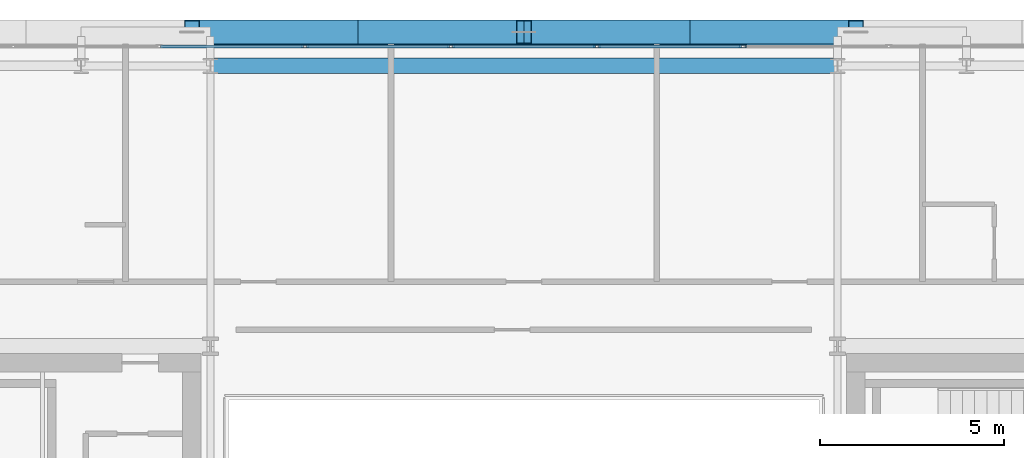
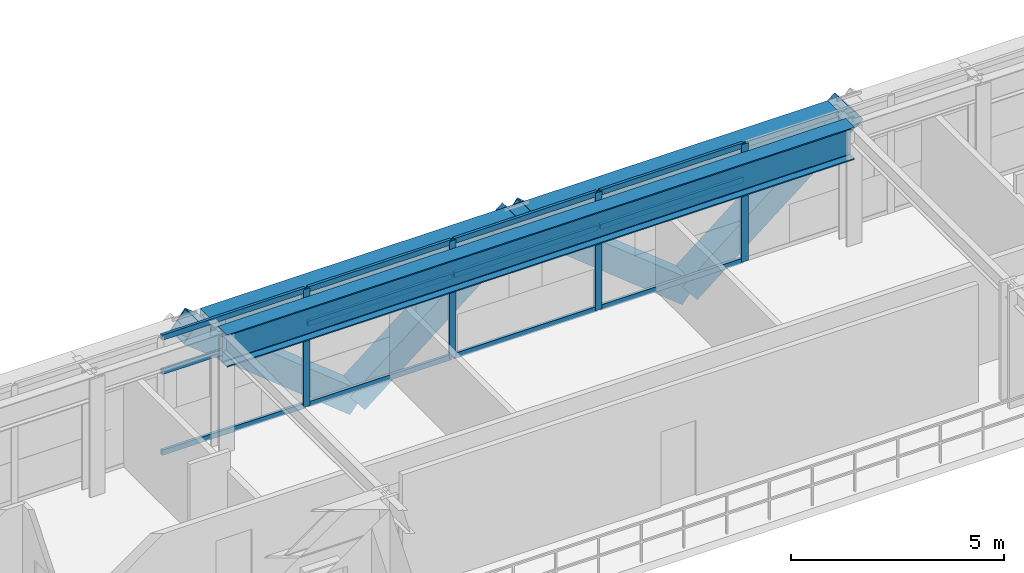
# One storey, part 17 of 31: 20 members, 2 beams, 1 element without a shape of its own.
"""IFC4 building model written with IfcOpenShell, lengths in metres."""

from ifc_helpers import new_model, si_unit, direction, frame, origin, origin_2d, place, context, subcontext, project, spatial, hollow_rectangle, i_section, extrude, source, transform, mapped, material, layer, layer_set, material_profile, profile_set, type_object, element, aggregate, save


model = new_model("IFC4")

# Units and contexts
model_context = context("Model", 3, precision=1e-05, world=origin(), true_north=direction((0.0, 1.0)))
body_context = subcontext(model_context, "Body", "Model", "MODEL_VIEW")
ifc_project = project(units=[si_unit("LENGTHUNIT", "METRE"), si_unit("AREAUNIT", "SQUARE_METRE"), si_unit("VOLUMEUNIT", "CUBIC_METRE"), si_unit("PLANEANGLEUNIT", "RADIAN"), si_unit("MASSUNIT", "GRAM", prefix="KILO")], contexts=[model_context])

# Site, building, storey
site_placement = place(None, origin())
site = spatial("IfcSite", under=ifc_project, at=site_placement, CompositionType="ELEMENT")
building_placement = place(site_placement, origin())
building = spatial("IfcBuilding", under=site, at=building_placement, Name="Ocotamira Hotel", CompositionType="ELEMENT")
storey_placement = place(building_placement, frame((0.0, 0.0, 199.199951171875)))
storey = spatial("IfcBuildingStorey", under=building, at=storey_placement, Name="L50", CompositionType="ELEMENT", Elevation=199.199951171875)

# Beams
ifc_material_1 = material(Name="Steel ASTM A992 Grade 50", Category="steel")
ifc_material_profile_1 = material_profile(ifc_material_1, i_section(OverallWidth=0.41796875, OverallDepth=0.927001953125, WebThickness=0.019287109375, FlangeThickness=0.031982421875, FilletRadius=0.02392578125, at=origin_2d()), Name="W36X231")
ifc_profile_set_1 = profile_set([ifc_material_profile_1], Name="Steel ASTM A992 Grade 50")
beam_type_1 = type_object("IfcBeamType", Name="BM-GIRD-W36X231", PredefinedType="BEAM", material=ifc_profile_set_1)
shared_shape_1 = source(origin(), body_context, "Body", "SweptSolid", [
    extrude(i_section(OverallWidth=0.41796875, OverallDepth=0.927001953125, WebThickness=0.019287109375, FlangeThickness=0.031982421875, FilletRadius=0.02392578125, at=origin_2d()), origin(), (0.0, 0.0, 1.0), 17.0),
])
beam_1_placement = place(storey_placement, frame((23.5, 45.050048828125, 2.906494140625), z_axis=(1.0, 0.0, 0.0), x_axis=(0.0, 1.0, 0.0)))
element("IfcBeam", 1, at=beam_1_placement, inside=storey, type_object=beam_type_1, Name="L50 Girder Y45.05 X23.5-40.5", PredefinedType="BEAM", context=body_context, shape_type="MappedRepresentation", body=[
    mapped(shared_shape_1, transform((0.0, 0.0, 0.0), scale=1.0)),
])
ifc_material_2 = material(Name="Steel ASTM A500 Grade C", Category="steel")
ifc_material_profile_2 = material_profile(ifc_material_2, hollow_rectangle(XDim=0.5, YDim=0.5, WallThickness=0.02001953125, at=origin_2d()), Name="HSS500X500X20")
ifc_profile_set_2 = profile_set([ifc_material_profile_2], Name="Steel ASTM A500 Grade C")
beam_type_2 = type_object("IfcBeamType", Name="BM-SPAN-HSS500", PredefinedType="USERDEFINED", material=ifc_profile_set_2)
shared_shape_2 = source(origin(), body_context, "Body", "SweptSolid", [
    extrude(hollow_rectangle(XDim=0.5, YDim=0.5, WallThickness=0.02001953125, at=origin_2d()), origin(), (0.0, 0.0, 1.0), 17.0),
])
beam_2_placement = place(storey_placement, frame((23.5, 45.85009765625, 3.1201171875), z_axis=(1.0, 0.0, 0.0), x_axis=(0.0, 1.0, 0.0)))
element("IfcBeam", 2, at=beam_2_placement, inside=storey, type_object=beam_type_2, Name="L50 Edge Spandrel N X23.5-40.5", ObjectType="SPANDREL", PredefinedType="USERDEFINED", context=body_context, shape_type="MappedRepresentation", body=[
    mapped(shared_shape_2, transform((0.0, 0.0, 0.0), scale=1.0)),
])

# Members
ifc_material_3 = material(Name="Pale-metal coated steel ASTM A913 Grade 65", Category="steel")
ifc_material_profile_3 = material_profile(ifc_material_3, hollow_rectangle(XDim=0.64990234375, YDim=0.64990234375, WallThickness=0.02197265625, at=origin_2d()), Name="BOX650X650X22")
ifc_profile_set_3 = profile_set([ifc_material_profile_3], Name="Pale-metal coated steel ASTM A913 Grade 65")
member_type_1 = type_object("IfcMemberType", Name="MEM-EXO-BOX650", PredefinedType="BRACE", material=ifc_profile_set_3)
shared_shape_3 = source(origin(), body_context, "Body", "SweptSolid", [
    extrude(hollow_rectangle(XDim=0.64990234375, YDim=0.64990234375, WallThickness=0.02197265625, at=origin_2d()), origin(), (0.0, 0.0, 1.0), 5.762939453125),
])
for number, where, z_axis, x_axis, name in (
    (3, (27.5, 45.969970703125, -0.47998046875), (-0.780860543151, 0.0, 0.624705380279), (0.0, -1.0, 0.0), "L50 Exoskeleton Diagrid N1.1"),
    (4, (27.5, 45.969970703125, -0.47998046875), (0.780860543151, 0.0, 0.624705380279), (0.0, 1.0, 0.0), "L50 Exoskeleton Diagrid N1.2"),
    (5, (36.5, 45.969970703125, -0.47998046875), (-0.780860543151, 0.0, 0.624705380279), (0.0, -1.0, 0.0), "L50 Exoskeleton Diagrid N2.1"),
    (6, (36.5, 45.969970703125, -0.47998046875), (0.780860543151, 0.0, 0.624705380279), (0.0, 1.0, 0.0), "L50 Exoskeleton Diagrid N2.2"),
):
    element("IfcMember", number, at=place(storey_placement, frame(where, z_axis=z_axis, x_axis=x_axis)), inside=storey, type_object=member_type_1, Name=name, PredefinedType="BRACE", context=body_context, shape_type="MappedRepresentation", body=[
        mapped(shared_shape_3, transform((0.0, 0.0, 0.0), scale=1.0)),
    ])

# Curtain wall, members
ifc_material_4 = material(Name="Anodised pale-metal aluminium and solar glass", Category="aluminium")
ifc_layer = layer(ifc_material_4, 0.199951171875)
ifc_layer_set = layer_set([ifc_layer], Name="Anodised pale-metal aluminium and solar glass")
curtain_wall_type = type_object("IfcCurtainWallType", Name="CW-SYS4-Z3", PredefinedType="NOTDEFINED", material=ifc_layer_set)
curtain_wall_placement = place(storey_placement, origin())
curtain_wall = element("IfcCurtainWall", 7, at=curtain_wall_placement, inside=storey, type_object=curtain_wall_type, Name="L50 Curtain Wall CW-4 CW-L50-N", PredefinedType="NOTDEFINED")
ifc_material_5 = material(Name="Anodised pale-metal aluminium 6063-T6", Category="aluminium")
ifc_material_profile_4 = material_profile(ifc_material_5, hollow_rectangle(XDim=0.074951171875, YDim=0.14990234375, WallThickness=0.006103515625, at=origin_2d()), Name="HSS150X75X6")
ifc_profile_set_4 = profile_set([ifc_material_profile_4], Name="Anodised pale-metal aluminium 6063-T6")
member_type_2 = type_object("IfcMemberType", Name="CWT-150X75", PredefinedType="USERDEFINED", material=ifc_profile_set_4)
shared_shape_4 = source(origin(), body_context, "Body", "SweptSolid", [
    extrude(hollow_rectangle(XDim=0.074951171875, YDim=0.14990234375, WallThickness=0.006103515625, at=origin_2d()), origin(), (0.0, 0.0, 1.0), 3.87548828125),
])
member_1_placement = place(storey_placement, frame((22.151123046875, 45.580078125, 0.03759765625), z_axis=(1.0, 0.0, 0.0), x_axis=(0.0, 1.0, 0.0)))
member_1 = element("IfcMember", 8, at=member_1_placement, type_object=member_type_2, Name="CW-4 transom 3.1", ObjectType="TRANSOM", PredefinedType="USERDEFINED", context=body_context, shape_type="MappedRepresentation", body=[
    mapped(shared_shape_4, transform((0.0, 0.0, 0.0), scale=1.0)),
])
member_2_placement = place(storey_placement, frame((22.151123046875, 45.580078125, 2.35009765625), z_axis=(1.0, 0.0, 0.0), x_axis=(0.0, 1.0, 0.0)))
member_2 = element("IfcMember", 9, at=member_2_placement, type_object=member_type_2, Name="CW-4 transom 3.2", ObjectType="TRANSOM", PredefinedType="USERDEFINED", context=body_context, shape_type="MappedRepresentation", body=[
    mapped(shared_shape_4, transform((0.0, 0.0, 0.0), scale=1.0)),
])
member_3_placement = place(storey_placement, frame((22.151123046875, 45.580078125, 3.33251953125), z_axis=(1.0, 0.0, 0.0), x_axis=(0.0, 1.0, 0.0)))
member_3 = element("IfcMember", 10, at=member_3_placement, type_object=member_type_2, Name="CW-4 transom 3.3", ObjectType="TRANSOM", PredefinedType="USERDEFINED", context=body_context, shape_type="MappedRepresentation", body=[
    mapped(shared_shape_4, transform((0.0, 0.0, 0.0), scale=1.0)),
])
member_4_placement = place(storey_placement, frame((26.106689453125, 45.580078125, 0.03759765625), z_axis=(1.0, 0.0, 0.0), x_axis=(0.0, 1.0, 0.0)))
member_4 = element("IfcMember", 11, at=member_4_placement, type_object=member_type_2, Name="CW-4 transom 4.1", ObjectType="TRANSOM", PredefinedType="USERDEFINED", context=body_context, shape_type="MappedRepresentation", body=[
    mapped(shared_shape_4, transform((0.0, 0.0, 0.0), scale=1.0)),
])
member_5_placement = place(storey_placement, frame((26.106689453125, 45.580078125, 2.35009765625), z_axis=(1.0, 0.0, 0.0), x_axis=(0.0, 1.0, 0.0)))
member_5 = element("IfcMember", 12, at=member_5_placement, type_object=member_type_2, Name="CW-4 transom 4.2", ObjectType="TRANSOM", PredefinedType="USERDEFINED", context=body_context, shape_type="MappedRepresentation", body=[
    mapped(shared_shape_4, transform((0.0, 0.0, 0.0), scale=1.0)),
])
member_6_placement = place(storey_placement, frame((26.106689453125, 45.580078125, 3.33251953125), z_axis=(1.0, 0.0, 0.0), x_axis=(0.0, 1.0, 0.0)))
member_6 = element("IfcMember", 13, at=member_6_placement, type_object=member_type_2, Name="CW-4 transom 4.3", ObjectType="TRANSOM", PredefinedType="USERDEFINED", context=body_context, shape_type="MappedRepresentation", body=[
    mapped(shared_shape_4, transform((0.0, 0.0, 0.0), scale=1.0)),
])
member_7_placement = place(storey_placement, frame((30.062255859375, 45.580078125, 0.03759765625), z_axis=(1.0, 0.0, 0.0), x_axis=(0.0, 1.0, 0.0)))
member_7 = element("IfcMember", 14, at=member_7_placement, type_object=member_type_2, Name="CW-4 transom 5.1", ObjectType="TRANSOM", PredefinedType="USERDEFINED", context=body_context, shape_type="MappedRepresentation", body=[
    mapped(shared_shape_4, transform((0.0, 0.0, 0.0), scale=1.0)),
])
member_8_placement = place(storey_placement, frame((30.062255859375, 45.580078125, 2.35009765625), z_axis=(1.0, 0.0, 0.0), x_axis=(0.0, 1.0, 0.0)))
member_8 = element("IfcMember", 15, at=member_8_placement, type_object=member_type_2, Name="CW-4 transom 5.2", ObjectType="TRANSOM", PredefinedType="USERDEFINED", context=body_context, shape_type="MappedRepresentation", body=[
    mapped(shared_shape_4, transform((0.0, 0.0, 0.0), scale=1.0)),
])
member_9_placement = place(storey_placement, frame((30.062255859375, 45.580078125, 3.33251953125), z_axis=(1.0, 0.0, 0.0), x_axis=(0.0, 1.0, 0.0)))
member_9 = element("IfcMember", 16, at=member_9_placement, type_object=member_type_2, Name="CW-4 transom 5.3", ObjectType="TRANSOM", PredefinedType="USERDEFINED", context=body_context, shape_type="MappedRepresentation", body=[
    mapped(shared_shape_4, transform((0.0, 0.0, 0.0), scale=1.0)),
])
member_10_placement = place(storey_placement, frame((34.017822265625, 45.580078125, 0.03759765625), z_axis=(1.0, 0.0, 0.0), x_axis=(0.0, 1.0, 0.0)))
member_10 = element("IfcMember", 17, at=member_10_placement, type_object=member_type_2, Name="CW-4 transom 6.1", ObjectType="TRANSOM", PredefinedType="USERDEFINED", context=body_context, shape_type="MappedRepresentation", body=[
    mapped(shared_shape_4, transform((0.0, 0.0, 0.0), scale=1.0)),
])
member_11_placement = place(storey_placement, frame((34.017822265625, 45.580078125, 2.35009765625), z_axis=(1.0, 0.0, 0.0), x_axis=(0.0, 1.0, 0.0)))
member_11 = element("IfcMember", 18, at=member_11_placement, type_object=member_type_2, Name="CW-4 transom 6.2", ObjectType="TRANSOM", PredefinedType="USERDEFINED", context=body_context, shape_type="MappedRepresentation", body=[
    mapped(shared_shape_4, transform((0.0, 0.0, 0.0), scale=1.0)),
])
member_12_placement = place(storey_placement, frame((34.017822265625, 45.580078125, 3.33251953125), z_axis=(1.0, 0.0, 0.0), x_axis=(0.0, 1.0, 0.0)))
member_12 = element("IfcMember", 19, at=member_12_placement, type_object=member_type_2, Name="CW-4 transom 6.3", ObjectType="TRANSOM", PredefinedType="USERDEFINED", context=body_context, shape_type="MappedRepresentation", body=[
    mapped(shared_shape_4, transform((0.0, 0.0, 0.0), scale=1.0)),
])
ifc_material_profile_5 = material_profile(ifc_material_5, hollow_rectangle(XDim=0.080078125, YDim=0.179931640625, WallThickness=0.006103515625, at=origin_2d()), Name="HSS180X80X6")
ifc_profile_set_5 = profile_set([ifc_material_profile_5], Name="Anodised pale-metal aluminium 6063-T6")
member_type_3 = type_object("IfcMemberType", Name="CWM-180X75", PredefinedType="MULLION", material=ifc_profile_set_5)
shared_shape_5 = source(origin(), body_context, "Body", "SweptSolid", [
    extrude(hollow_rectangle(XDim=0.080078125, YDim=0.179931640625, WallThickness=0.006103515625, at=origin_2d()), origin(), (0.0, 0.0, 1.0), 3.3701171875),
])
member_13_placement = place(storey_placement, frame((26.066650390625, 45.580078125, 0.0), z_axis=(0.0, 0.0, 1.0), x_axis=(0.0, 1.0, 0.0)))
member_13 = element("IfcMember", 20, at=member_13_placement, type_object=member_type_3, Name="CW-4 mullion 4", PredefinedType="MULLION", context=body_context, shape_type="MappedRepresentation", body=[
    mapped(shared_shape_5, transform((0.0, 0.0, 0.0), scale=1.0)),
])
member_14_placement = place(storey_placement, frame((30.022216796875, 45.580078125, 0.0), z_axis=(0.0, 0.0, 1.0), x_axis=(0.0, 1.0, 0.0)))
member_14 = element("IfcMember", 21, at=member_14_placement, type_object=member_type_3, Name="CW-4 mullion 5", PredefinedType="MULLION", context=body_context, shape_type="MappedRepresentation", body=[
    mapped(shared_shape_5, transform((0.0, 0.0, 0.0), scale=1.0)),
])
member_15_placement = place(storey_placement, frame((33.977783203125, 45.580078125, 0.0), z_axis=(0.0, 0.0, 1.0), x_axis=(0.0, 1.0, 0.0)))
member_15 = element("IfcMember", 22, at=member_15_placement, type_object=member_type_3, Name="CW-4 mullion 6", PredefinedType="MULLION", context=body_context, shape_type="MappedRepresentation", body=[
    mapped(shared_shape_5, transform((0.0, 0.0, 0.0), scale=1.0)),
])
member_16_placement = place(storey_placement, frame((37.933349609375, 45.580078125, 0.0), z_axis=(0.0, 0.0, 1.0), x_axis=(0.0, 1.0, 0.0)))
member_16 = element("IfcMember", 23, at=member_16_placement, type_object=member_type_3, Name="CW-4 mullion 7", PredefinedType="MULLION", context=body_context, shape_type="MappedRepresentation", body=[
    mapped(shared_shape_5, transform((0.0, 0.0, 0.0), scale=1.0)),
])
aggregate(curtain_wall, [member_13, member_14, member_15, member_16, member_1, member_2, member_3, member_4, member_5, member_6, member_7, member_8, member_9, member_10, member_11, member_12])

save(model, "model.ifc")
